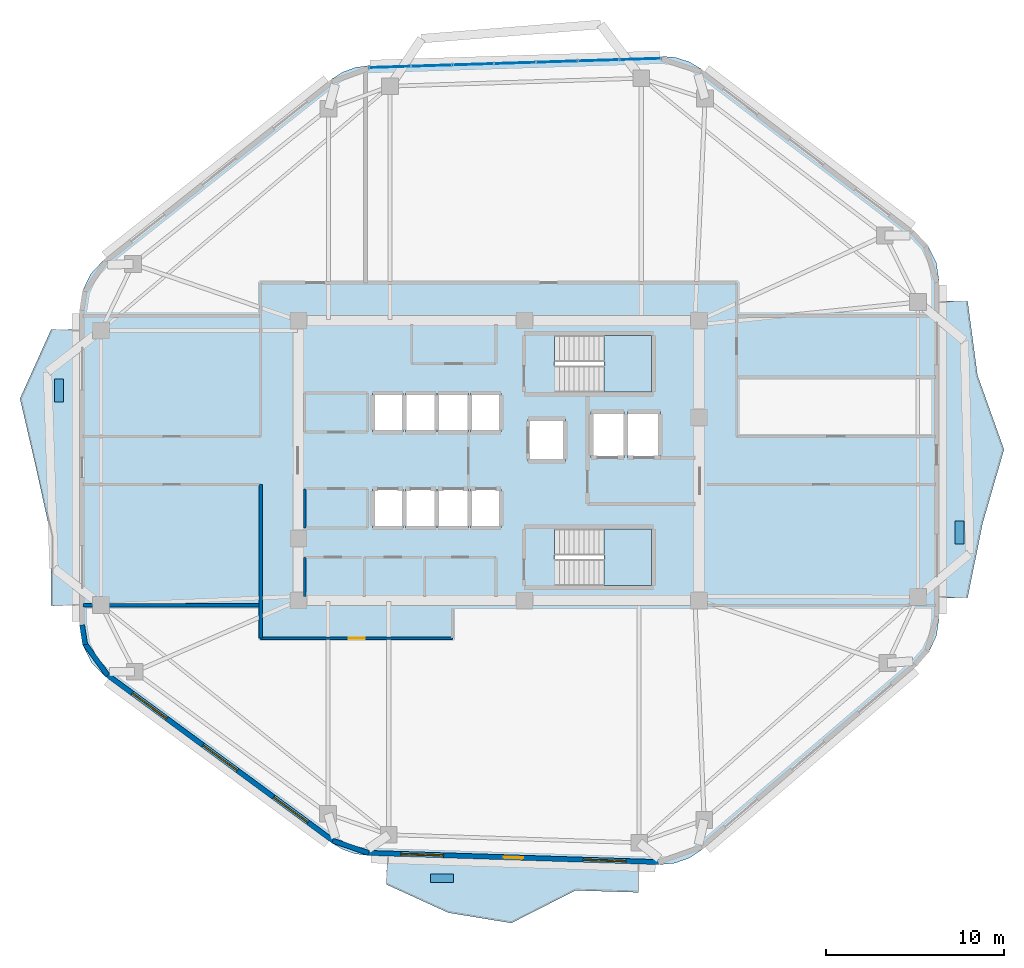
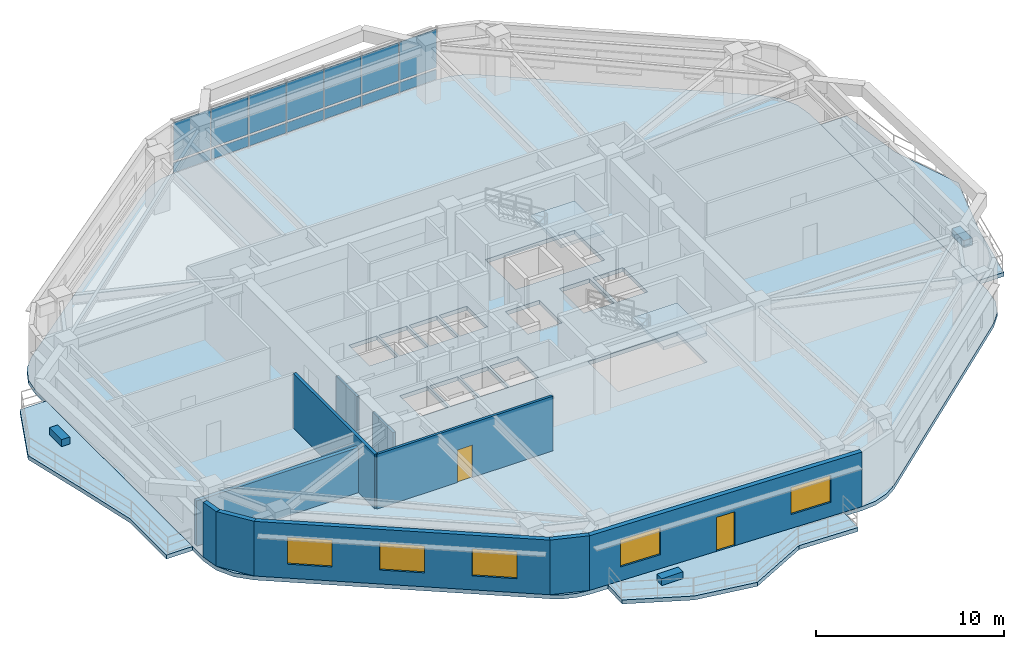
# One storey, part 5 of 12: 17 plates, 10 walls, 6 slabs, 5 windows, 2 doors, 7 openings, 3 elements without a shape of their own.
"""IFC4 building model written with IfcOpenShell, lengths in metres."""

from ifc_helpers import new_model, si_unit, direction, frame, frame_2d, origin, origin_2d, place, context, subcontext, project, spatial, polyline, rectangle, outline, extrude, material, layer, layer_set, type_object, element, fill, aggregate, save


model = new_model("IFC4")

# Units and contexts
model_context = context("Model", 3, precision=1e-05, world=origin(), true_north=direction((0.0, 1.0)))
body_context = subcontext(model_context, "Body", "Model", "MODEL_VIEW")
ifc_project = project(units=[si_unit("LENGTHUNIT", "METRE"), si_unit("AREAUNIT", "SQUARE_METRE"), si_unit("VOLUMEUNIT", "CUBIC_METRE"), si_unit("PLANEANGLEUNIT", "RADIAN"), si_unit("MASSUNIT", "GRAM", prefix="KILO")], contexts=[model_context])

# Site, building, storey
site_placement = place(None, origin())
site = spatial("IfcSite", under=ifc_project, at=site_placement, CompositionType="ELEMENT")
building_placement = place(site_placement, origin())
building = spatial("IfcBuilding", under=site, at=building_placement, Name="Zulverin Broadcast Headquarters", CompositionType="ELEMENT")
storey_placement = place(building_placement, frame((0.0, 0.0, 170.60009765625)))
storey = spatial("IfcBuildingStorey", under=building, at=storey_placement, Name="L43", CompositionType="ELEMENT", Elevation=170.60009765625)

# Curtain wall, plates
ifc_material_1 = material(Name="Waist wind-pressure unitised curtain wall", Category="aluminium")
curtain_wall_type = type_object("IfcCurtainWallType", Name="CW-TWR-WST", PredefinedType="USERDEFINED", material=ifc_material_1)
curtain_wall_placement = place(storey_placement, origin())
curtain_wall = element("IfcCurtainWall", 1, at=curtain_wall_placement, inside=storey, type_object=curtain_wall_type, Name="L43 Unitised Curtain Wall CW-L43-E5", ObjectType="UNITISED CURTAIN WALL", PredefinedType="USERDEFINED")
ifc_material_2 = material(Name="Low-E double-glazed pale-silver vision glass", Category="glass")
ifc_layer_1 = layer(ifc_material_2, 0.035888671875, Name="Low-E double-glazed pale-silver vision glass", Category="glass")
ifc_layer_set_1 = layer_set([ifc_layer_1], Name="Low-E double-glazed pale-silver vision glass")
plate_type_1 = type_object("IfcPlateType", Name="CW-PNL-GLZ", PredefinedType="CURTAIN_PANEL", material=ifc_layer_set_1)
plate_1_placement = place(storey_placement, frame((44.968017578125, 47.80224609375, 0.91455078125), z_axis=(0.0, 0.0, 1.0), x_axis=(-0.999497141269, -0.031709061709, 0.0)))
plate_1 = element("IfcPlate", 2, at=plate_1_placement, type_object=plate_type_1, Name="CW-L43-E5 Vision Panel 00", PredefinedType="CURTAIN_PANEL", context=body_context, shape_type="SweptSolid", body=[
    extrude(rectangle(XDim=2.310302734375, YDim=0.035888671875, at=origin_2d()), origin(), (0.0, 0.0, 1.0), 2.4853515625),
])
plate_2_placement = place(storey_placement, frame((42.618896484375, 47.727783203125, 0.91455078125), z_axis=(0.0, 0.0, 1.0), x_axis=(-0.999497141269, -0.031709061709, 0.0)))
plate_2 = element("IfcPlate", 3, at=plate_2_placement, type_object=plate_type_1, Name="CW-L43-E5 Vision Panel 01", PredefinedType="CURTAIN_PANEL", context=body_context, shape_type="SweptSolid", body=[
    extrude(rectangle(XDim=2.310302734375, YDim=0.035888671875, at=origin_2d()), origin(), (0.0, 0.0, 1.0), 2.4853515625),
])
plate_3_placement = place(storey_placement, frame((40.269775390625, 47.6533203125, 0.91455078125), z_axis=(0.0, 0.0, 1.0), x_axis=(-0.999497141269, -0.031709061709, 0.0)))
plate_3 = element("IfcPlate", 4, at=plate_3_placement, type_object=plate_type_1, Name="CW-L43-E5 Vision Panel 02", PredefinedType="CURTAIN_PANEL", context=body_context, shape_type="SweptSolid", body=[
    extrude(rectangle(XDim=2.310302734375, YDim=0.035888671875, at=origin_2d()), origin(), (0.0, 0.0, 1.0), 2.4853515625),
])
plate_4_placement = place(storey_placement, frame((37.920654296875, 47.57861328125, 0.91455078125), z_axis=(0.0, 0.0, 1.0), x_axis=(-0.999497141269, -0.031709061709, 0.0)))
plate_4 = element("IfcPlate", 5, at=plate_4_placement, type_object=plate_type_1, Name="CW-L43-E5 Vision Panel 03", PredefinedType="CURTAIN_PANEL", context=body_context, shape_type="SweptSolid", body=[
    extrude(rectangle(XDim=2.310302734375, YDim=0.035888671875, at=origin_2d()), origin(), (0.0, 0.0, 1.0), 2.4853515625),
])
plate_5_placement = place(storey_placement, frame((35.5712890625, 47.504150390625, 0.91455078125), z_axis=(0.0, 0.0, 1.0), x_axis=(-0.999497141269, -0.031709061709, 0.0)))
plate_5 = element("IfcPlate", 6, at=plate_5_placement, type_object=plate_type_1, Name="CW-L43-E5 Vision Panel 04", PredefinedType="CURTAIN_PANEL", context=body_context, shape_type="SweptSolid", body=[
    extrude(rectangle(XDim=2.310302734375, YDim=0.035888671875, at=origin_2d()), origin(), (0.0, 0.0, 1.0), 2.4853515625),
])
plate_6_placement = place(storey_placement, frame((33.222412109375, 47.4296875, 0.91455078125), z_axis=(0.0, 0.0, 1.0), x_axis=(-0.999497141269, -0.031709061709, 0.0)))
plate_6 = element("IfcPlate", 7, at=plate_6_placement, type_object=plate_type_1, Name="CW-L43-E5 Vision Panel 05", PredefinedType="CURTAIN_PANEL", context=body_context, shape_type="SweptSolid", body=[
    extrude(rectangle(XDim=2.310302734375, YDim=0.035888671875, at=origin_2d()), origin(), (0.0, 0.0, 1.0), 2.4853515625),
])
plate_7_placement = place(storey_placement, frame((30.873046875, 47.35498046875, 0.91455078125), z_axis=(0.0, 0.0, 1.0), x_axis=(-0.999497141269, -0.031709061709, 0.0)))
plate_7 = element("IfcPlate", 8, at=plate_7_placement, type_object=plate_type_1, Name="CW-L43-E5 Vision Panel 06", PredefinedType="CURTAIN_PANEL", context=body_context, shape_type="SweptSolid", body=[
    extrude(rectangle(XDim=2.310302734375, YDim=0.035888671875, at=origin_2d()), origin(), (0.0, 0.0, 1.0), 2.4853515625),
])
ifc_material_3 = material(Name="Insulated brushed pale-aluminium spandrel cassette", Category="aluminium")
ifc_layer_2 = layer(ifc_material_3, 0.050048828125, Name="Insulated brushed pale-aluminium spandrel cassette", Category="aluminium")
ifc_layer_set_2 = layer_set([ifc_layer_2], Name="Insulated brushed pale-aluminium spandrel cassette")
plate_type_2 = type_object("IfcPlateType", Name="CW-PNL-SPN", PredefinedType="CURTAIN_PANEL", material=ifc_layer_set_2)
plate_8_placement = place(storey_placement, frame((44.968017578125, 47.80224609375, 0.139892578125), z_axis=(0.0, 0.0, 1.0), x_axis=(-0.999497141269, -0.031709061709, 0.0)))
plate_8 = element("IfcPlate", 9, at=plate_8_placement, type_object=plate_type_2, Name="CW-L43-E5 Spandrel Cassette 00", PredefinedType="CURTAIN_PANEL", context=body_context, shape_type="SweptSolid", body=[
    extrude(rectangle(XDim=2.310302734375, YDim=0.050048828125, at=origin_2d()), origin(), (0.0, 0.0, 1.0), 0.64453125),
])
plate_9_placement = place(storey_placement, frame((42.618896484375, 47.727783203125, 0.139892578125), z_axis=(0.0, 0.0, 1.0), x_axis=(-0.999497141269, -0.031709061709, 0.0)))
plate_9 = element("IfcPlate", 10, at=plate_9_placement, type_object=plate_type_2, Name="CW-L43-E5 Spandrel Cassette 01", PredefinedType="CURTAIN_PANEL", context=body_context, shape_type="SweptSolid", body=[
    extrude(rectangle(XDim=2.310302734375, YDim=0.050048828125, at=origin_2d()), origin(), (0.0, 0.0, 1.0), 0.64453125),
])
plate_10_placement = place(storey_placement, frame((40.269775390625, 47.6533203125, 0.139892578125), z_axis=(0.0, 0.0, 1.0), x_axis=(-0.999497141269, -0.031709061709, 0.0)))
plate_10 = element("IfcPlate", 11, at=plate_10_placement, type_object=plate_type_2, Name="CW-L43-E5 Spandrel Cassette 02", PredefinedType="CURTAIN_PANEL", context=body_context, shape_type="SweptSolid", body=[
    extrude(rectangle(XDim=2.310302734375, YDim=0.050048828125, at=origin_2d()), origin(), (0.0, 0.0, 1.0), 0.64453125),
])
plate_11_placement = place(storey_placement, frame((37.920654296875, 47.57861328125, 0.139892578125), z_axis=(0.0, 0.0, 1.0), x_axis=(-0.999497141269, -0.031709061709, 0.0)))
plate_11 = element("IfcPlate", 12, at=plate_11_placement, type_object=plate_type_2, Name="CW-L43-E5 Spandrel Cassette 03", PredefinedType="CURTAIN_PANEL", context=body_context, shape_type="SweptSolid", body=[
    extrude(rectangle(XDim=2.310302734375, YDim=0.050048828125, at=origin_2d()), origin(), (0.0, 0.0, 1.0), 0.64453125),
])
plate_12_placement = place(storey_placement, frame((35.5712890625, 47.504150390625, 0.139892578125), z_axis=(0.0, 0.0, 1.0), x_axis=(-0.999497141269, -0.031709061709, 0.0)))
plate_12 = element("IfcPlate", 13, at=plate_12_placement, type_object=plate_type_2, Name="CW-L43-E5 Spandrel Cassette 04", PredefinedType="CURTAIN_PANEL", context=body_context, shape_type="SweptSolid", body=[
    extrude(rectangle(XDim=2.310302734375, YDim=0.050048828125, at=origin_2d()), origin(), (0.0, 0.0, 1.0), 0.64453125),
])
plate_13_placement = place(storey_placement, frame((33.222412109375, 47.4296875, 0.139892578125), z_axis=(0.0, 0.0, 1.0), x_axis=(-0.999497141269, -0.031709061709, 0.0)))
plate_13 = element("IfcPlate", 14, at=plate_13_placement, type_object=plate_type_2, Name="CW-L43-E5 Spandrel Cassette 05", PredefinedType="CURTAIN_PANEL", context=body_context, shape_type="SweptSolid", body=[
    extrude(rectangle(XDim=2.310302734375, YDim=0.050048828125, at=origin_2d()), origin(), (0.0, 0.0, 1.0), 0.64453125),
])
plate_14_placement = place(storey_placement, frame((30.873046875, 47.35498046875, 0.139892578125), z_axis=(0.0, 0.0, 1.0), x_axis=(-0.999497141269, -0.031709061709, 0.0)))
plate_14 = element("IfcPlate", 15, at=plate_14_placement, type_object=plate_type_2, Name="CW-L43-E5 Spandrel Cassette 06", PredefinedType="CURTAIN_PANEL", context=body_context, shape_type="SweptSolid", body=[
    extrude(rectangle(XDim=2.310302734375, YDim=0.050048828125, at=origin_2d()), origin(), (0.0, 0.0, 1.0), 0.64453125),
])
aggregate(curtain_wall, [plate_8, plate_1, plate_9, plate_2, plate_10, plate_3, plate_11, plate_4, plate_12, plate_5, plate_13, plate_6, plate_14, plate_7])

# Plates
ifc_material_4 = material(Name="Precast concrete C45/55", Category="concrete")
ifc_layer_3 = layer(ifc_material_4, 0.449951171875, Name="Precast concrete C45/55", Category="concrete")
ifc_layer_set_3 = layer_set([ifc_layer_3], Name="Precast concrete C45/55")
plate_type_3 = type_object("IfcPlateType", Name="PT-01_PRECAST_GFRC_TREE_PLANTER", PredefinedType="USERDEFINED", material=ifc_layer_set_3)
for number, where, z_axis, x_axis, name in (
    (16, (62.949951171875, 21.143798828125, -0.0048828125), (0.0, 0.0, 1.0), (0.0, 1.0, 0.0), "L43 Precast GFRC Tree Planter BAL_E"),
    (17, (33.808349609375, 1.68115234375, -0.0048828125), (0.0, 0.0, 1.0), (1.0, 0.0, 0.0), "L43 Precast GFRC Tree Planter BAL_S"),
    (18, (12.25, 29.15185546875, -0.0048828125), (0.0, 0.0, 1.0), (0.0, 1.0, 0.0), "L43 Precast GFRC Tree Planter BAL_W"),
):
    element("IfcPlate", number, at=place(storey_placement, frame(where, z_axis=z_axis, x_axis=x_axis)), inside=storey, type_object=plate_type_3, Name=name, ObjectType="PLANTER", PredefinedType="USERDEFINED", context=body_context, shape_type="SweptSolid", body=[
        extrude(rectangle(XDim=1.300048828125, YDim=0.5, at=origin_2d()), origin(), (0.0, 0.0, 1.0), 0.449951171875),
    ])

# Slabs
ifc_material_5 = material(Name="Concrete C40/50", Category="concrete")
ifc_layer_4 = layer(ifc_material_5, 0.260009765625, Name="Concrete C40/50", Category="concrete")
ifc_layer_set_4 = layer_set([ifc_layer_4], Name="Concrete C40/50")
slab_type_1 = type_object("IfcSlabType", Name="SLB-BAL-260", PredefinedType="FLOOR", material=ifc_layer_set_4)
slab_1_placement = place(storey_placement, frame((0.0, 0.0, -0.260009765625)))
element("IfcSlab", 19, at=slab_1_placement, inside=storey, type_object=slab_type_1, Name="L43 Cantilevered Planted Balcony Slab BAL_E", PredefinedType="FLOOR", context=body_context, shape_type="SweptSolid", body=[
    extrude(outline(polyline([(61.800048828125, 34.17138671875), (61.800048828125, 17.46923828125), (63.39990234375, 17.46923828125), (64.24072265625, 21.644775390625), (65.449951171875, 25.8203125), (63.959228515625, 29.995849609375), (63.39990234375, 34.17138671875), (61.800048828125, 34.17138671875)])), origin(), (0.0, 0.0, 1.0), 0.260009765625),
])
slab_2_placement = place(storey_placement, frame((0.0, 0.0, -0.260009765625)))
element("IfcSlab", 20, at=slab_2_placement, inside=storey, type_object=slab_type_1, Name="L43 Cantilevered Planted Balcony Slab BAL_S", PredefinedType="FLOOR", context=body_context, shape_type="SweptSolid", body=[
    extrude(outline(polyline([(44.921630859375, 2.479248046875), (30.720458984375, 2.9296875), (30.669921875, 1.33056640625), (34.173095703125, -0.264404296875), (37.70849609375, -0.84375), (41.32080078125, 0.99267578125), (44.87109375, 0.8798828125), (44.921630859375, 2.479248046875)])), origin(), (0.0, 0.0, 1.0), 0.260009765625),
])
slab_3_placement = place(storey_placement, frame((0.0, 0.0, -0.260009765625)))
element("IfcSlab", 21, at=slab_3_placement, inside=storey, type_object=slab_type_1, Name="L43 Cantilevered Planted Balcony Slab BAL_W", PredefinedType="FLOOR", context=body_context, shape_type="SweptSolid", body=[
    extrude(outline(polyline([(13.39990234375, 17.02197265625), (13.39990234375, 32.5732421875), (11.800048828125, 32.5732421875), (10.0458984375, 28.685302734375), (10.94921875, 24.797607421875), (11.800048828125, 20.90966796875), (11.800048828125, 17.02197265625), (13.39990234375, 17.02197265625)])), origin(), (0.0, 0.0, 1.0), 0.260009765625),
])

# Stair, slab
stair_type = type_object("IfcStairType", Name="ST-CORE-1500", PredefinedType="HALF_TURN_STAIR", material=ifc_material_5)
stair_1_placement = place(storey_placement, origin())
stair_1 = element("IfcStair", 22, at=stair_1_placement, inside=storey, type_object=stair_type, Name="L43 Core Exit Stair ST-1", PredefinedType="HALF_TURN_STAIR")
ifc_layer_5 = layer(ifc_material_5, 0.199951171875, Name="Concrete C40/50", Category="concrete")
ifc_layer_set_5 = layer_set([ifc_layer_5], Name="Concrete C40/50")
slab_type_2 = type_object("IfcSlabType", Name="SLB-ST-LND200", PredefinedType="LANDING", material=ifc_layer_set_5)
slab_4_placement = place(storey_placement, frame((0.0, 0.0, 1.699951171875)))
slab_4 = element("IfcSlab", 23, at=slab_4_placement, type_object=slab_type_2, Name="ST-1 landing 1", PredefinedType="LANDING", context=body_context, shape_type="SweptSolid", body=[
    extrude(outline(polyline([(42.929931640625, 29.050048828125), (45.60009765625, 29.050048828125), (45.60009765625, 32.25), (42.929931640625, 32.25), (42.929931640625, 29.050048828125)])), origin(), (0.0, 0.0, 1.0), 0.199951171875),
])
aggregate(stair_1, [slab_4])

stair_2_placement = place(storey_placement, origin())
stair_2 = element("IfcStair", 24, at=stair_2_placement, inside=storey, type_object=stair_type, Name="L43 Core Exit Stair ST-2", PredefinedType="HALF_TURN_STAIR")
slab_5_placement = place(storey_placement, frame((0.0, 0.0, 1.699951171875)))
slab_5 = element("IfcSlab", 25, at=slab_5_placement, type_object=slab_type_2, Name="ST-2 landing 1", PredefinedType="LANDING", context=body_context, shape_type="SweptSolid", body=[
    extrude(outline(polyline([(42.929931640625, 18.14990234375), (45.60009765625, 18.14990234375), (45.60009765625, 21.35009765625), (42.929931640625, 21.35009765625), (42.929931640625, 18.14990234375)])), origin(), (0.0, 0.0, 1.0), 0.199951171875),
])
aggregate(stair_2, [slab_5])

# Slab
ifc_layer_6 = layer(ifc_material_5, 0.260009765625, Name="Concrete C40/50", Category="concrete")
ifc_layer_set_6 = layer_set([ifc_layer_6], Name="Concrete C40/50")
slab_type_3 = type_object("IfcSlabType", Name="SLB-TWR-260", PredefinedType="FLOOR", material=ifc_layer_set_6)
slab_6_placement = place(storey_placement, frame((0.0, 0.0, -0.260009765625)))
element("IfcSlab", 26, at=slab_6_placement, inside=storey, type_object=slab_type_3, Name="L43 Main Structural Floor Slab", PredefinedType="FLOOR", context=body_context, shape_type="SweptSolid", body=[
    extrude(outline(polyline([(27.603515625, 3.661865234375), (28.224365234375, 3.295166015625), (28.906005859375, 3.0595703125), (29.62109375, 2.964599609375), (46.02099609375, 2.4443359375), (46.902587890625, 2.525146484375), (47.738037109375, 2.81884765625), (48.476318359375, 3.3076171875), (60.541015625, 13.63427734375), (61.220703125, 14.41064453125), (61.652099609375, 15.34814453125), (61.800048828125, 16.369384765625), (61.800048828125, 35.271484375), (61.6318359375, 36.358642578125), (61.143310546875, 37.344482421875), (60.3798828125, 38.136474609375), (48.432861328125, 47.226318359375), (47.73095703125, 47.643798828125), (46.952880859375, 47.892578125), (46.138916015625, 47.95947265625), (29.694580078125, 47.437744140625), (28.9365234375, 47.332275390625), (28.2177734375, 47.06884765625), (27.57080078125, 46.659423828125), (14.761962890625, 36.492919921875), (14.02880859375, 35.705810546875), (13.560791015625, 34.737060546875), (13.39990234375, 33.673095703125), (13.39990234375, 15.921875), (13.57421875, 14.815673828125), (14.079833984375, 13.81640625), (14.8681640625, 13.02099609375), (27.603515625, 3.661865234375)]), holes=[polyline([(40.155029296875, 30.75), (40.130126953125, 30.75), (40.130126953125, 32.25), (45.60009765625, 32.25), (45.60009765625, 29.050048828125), (40.155029296875, 29.050048828125), (40.155029296875, 30.75)]), polyline([(40.155029296875, 19.85009765625), (40.130126953125, 19.85009765625), (40.130126953125, 21.35009765625), (45.60009765625, 21.35009765625), (45.60009765625, 18.14990234375), (40.155029296875, 18.14990234375), (40.155029296875, 19.85009765625)]), polyline([(29.89990234375, 21.39990234375), (31.6201171875, 21.39990234375), (31.6201171875, 23.60009765625), (29.89990234375, 23.60009765625), (29.89990234375, 21.39990234375)]), polyline([(31.739990234375, 21.39990234375), (33.4599609375, 21.39990234375), (33.4599609375, 23.60009765625), (31.739990234375, 23.60009765625), (31.739990234375, 21.39990234375)]), polyline([(33.580078125, 21.39990234375), (35.300048828125, 21.39990234375), (35.300048828125, 23.60009765625), (33.580078125, 23.60009765625), (33.580078125, 21.39990234375)]), polyline([(35.419921875, 21.39990234375), (37.139892578125, 21.39990234375), (37.139892578125, 23.60009765625), (35.419921875, 23.60009765625), (35.419921875, 21.39990234375)]), polyline([(29.89990234375, 26.800048828125), (31.6201171875, 26.800048828125), (31.6201171875, 29.0), (29.89990234375, 29.0), (29.89990234375, 26.800048828125)]), polyline([(31.739990234375, 26.800048828125), (33.4599609375, 26.800048828125), (33.4599609375, 29.0), (31.739990234375, 29.0), (31.739990234375, 26.800048828125)]), polyline([(33.580078125, 26.800048828125), (35.300048828125, 26.800048828125), (35.300048828125, 29.0), (33.580078125, 29.0), (33.580078125, 26.800048828125)]), polyline([(35.419921875, 26.800048828125), (37.139892578125, 26.800048828125), (37.139892578125, 29.0), (35.419921875, 29.0), (35.419921875, 26.800048828125)]), polyline([(42.199951171875, 25.35009765625), (44.050048828125, 25.35009765625), (44.050048828125, 27.949951171875), (42.199951171875, 27.949951171875), (42.199951171875, 25.35009765625)]), polyline([(44.25, 25.35009765625), (46.10009765625, 25.35009765625), (46.10009765625, 27.949951171875), (44.25, 27.949951171875), (44.25, 25.35009765625)]), polyline([(38.64990234375, 25.14990234375), (40.75, 25.14990234375), (40.75, 27.550048828125), (38.64990234375, 27.550048828125), (38.64990234375, 25.14990234375)])]), origin(), (0.0, 0.0, 1.0), 0.260009765625),
])

# Wall
ifc_material_6 = material(Name="Double-stud acoustic drywall", Category="gypsum")
ifc_layer_7 = layer(ifc_material_6, 0.219970703125, Name="Double-stud acoustic drywall", Category="gypsum")
ifc_layer_set_7 = layer_set([ifc_layer_7], Name="Double-stud acoustic drywall")
wall_type_1 = type_object("IfcWallType", Name="WL-ACOU-220", PredefinedType="PARTITIONING", material=ifc_layer_set_7)
wall_1_placement = place(storey_placement, frame((13.60498046875, 17.050048828125, 0.0), z_axis=(0.0, 0.0, 1.0), x_axis=(1.0, 0.0, 0.0)))
element("IfcWall", 27, at=wall_1_placement, inside=storey, type_object=wall_type_1, Name="L43 Room Partition Wall RP-07", PredefinedType="PARTITIONING", context=body_context, shape_type="SweptSolid", body=[
    extrude(rectangle(XDim=9.9951171875, YDim=0.219970703125, at=frame_2d((4.99755859375, 0.0))), origin(), (0.0, 0.0, 1.0), 2.922607421875),
])

# Wall, openings, door, windows
ifc_material_7 = material(Name="Insulated pale-metal clad concrete spandrel C40/50", Category="concrete")
ifc_layer_8 = layer(ifc_material_7, 0.280029296875, Name="Insulated pale-metal clad concrete spandrel C40/50", Category="concrete")
ifc_layer_set_8 = layer_set([ifc_layer_8], Name="Insulated pale-metal clad concrete spandrel C40/50")
wall_type_2 = type_object("IfcWallType", Name="WL-EXT-280", PredefinedType="STANDARD", material=ifc_layer_set_8)
wall_2_placement = place(storey_placement, frame((29.62548828125, 3.1044921875, 0.0), z_axis=(0.0, 0.0, 1.0), x_axis=(0.99949718661, -0.031707632487, 0.0)))
wall_2 = element("IfcWall", 28, at=wall_2_placement, inside=storey, type_object=wall_type_2, Name="L43 Pale-Metal Clad Spandrel Wall 1", PredefinedType="STANDARD", context=body_context, shape_type="SweptSolid", body=[
    extrude(rectangle(XDim=16.408203125, YDim=0.280029296875, at=frame_2d((8.2041015625, 0.0))), origin(), (0.0, 0.0, 1.0), 3.539794921875),
])
opening_1_placement = place(wall_2_placement, frame((7.654052734375, 0.0, 0.0)))
opening_1 = element("IfcOpeningElement", 29, at=opening_1_placement, cuts=wall_2, Name="Opening D-L43-TR1", PredefinedType="OPENING", context=body_context, shape_type="SweptSolid", body=[
    extrude(rectangle(XDim=1.10009765625, YDim=2.199951171875, at=frame_2d((0.550048828125, 1.10009765625))), frame((0.0, 0.14990234375, 0.0), z_axis=(0.0, -1.0, 0.0), x_axis=(1.0, 0.0, 0.0)), (0.0, 0.0, 1.0), 0.300048828125),
])
opening_2_placement = place(wall_2_placement, frame((1.867919921875, 0.0, 0.89990234375)))
opening_2 = element("IfcOpeningElement", 30, at=opening_2_placement, cuts=wall_2, Name="Opening W-L43-E11", PredefinedType="OPENING", context=body_context, shape_type="SweptSolid", body=[
    extrude(rectangle(XDim=2.39990234375, YDim=1.75, at=frame_2d((1.199951171875, 0.875))), frame((0.0, 0.14990234375, 0.0), z_axis=(0.0, -1.0, 0.0), x_axis=(1.0, 0.0, 0.0)), (0.0, 0.0, 1.0), 0.300048828125),
])
opening_3_placement = place(wall_2_placement, frame((12.14013671875, 0.0, 0.89990234375)))
opening_3 = element("IfcOpeningElement", 31, at=opening_3_placement, cuts=wall_2, Name="Opening W-L43-E12", PredefinedType="OPENING", context=body_context, shape_type="SweptSolid", body=[
    extrude(rectangle(XDim=2.39990234375, YDim=1.75, at=frame_2d((1.199951171875, 0.875))), frame((0.0, 0.14990234375, 0.0), z_axis=(0.0, -1.0, 0.0), x_axis=(1.0, 0.0, 0.0)), (0.0, 0.0, 1.0), 0.300048828125),
])
ifc_material_8 = material(Name="Thermally broken aluminium glazed", Category="aluminium")
door_type_1 = type_object("IfcDoorType", Name="DR-TERR-1100", OperationType="SINGLE_SWING_RIGHT", PredefinedType="DOOR", material=ifc_material_8)
door_1_placement = place(opening_1_placement, origin())
door_1 = element("IfcDoor", 32, at=door_1_placement, inside=storey, type_object=door_type_1, Name="L43 Planted Terrace Glazed Access Door 1", OperationType="SINGLE_SWING_RIGHT", OverallHeight=2.199951171875, OverallWidth=1.10009765625, PredefinedType="DOOR", context=body_context, shape_type="SweptSolid", body=[
    extrude(rectangle(XDim=1.10009765625, YDim=2.199951171875, at=frame_2d((0.550048828125, 1.10009765625))), frame((0.0, 0.02490234375, 0.0), z_axis=(0.0, -1.0, 0.0), x_axis=(1.0, 0.0, 0.0)), (0.0, 0.0, 1.0), 0.050048828125),
])
fill(opening_1, door_1)
ifc_material_9 = material(Name="Pale anodized aluminium frame with solar-control low-E double glazing", Category="aluminium")
window_type = type_object("IfcWindowType", Name="WIN-RIB-2400", PartitioningType="SINGLE_PANEL", PredefinedType="WINDOW", material=ifc_material_9)
window_1_placement = place(opening_2_placement, origin())
window_1 = element("IfcWindow", 33, at=window_1_placement, inside=storey, type_object=window_type, Name="L43 Ribbon Glazing Window 1 1", OverallHeight=1.75, OverallWidth=2.39990234375, PartitioningType="SINGLE_PANEL", PredefinedType="WINDOW", context=body_context, shape_type="SweptSolid", body=[
    extrude(rectangle(XDim=2.39990234375, YDim=1.75, at=frame_2d((1.199951171875, 0.875))), frame((0.0, 0.030029296875, 0.0), z_axis=(0.0, -1.0, 0.0), x_axis=(1.0, 0.0, 0.0)), (0.0, 0.0, 1.0), 0.06005859375),
])
fill(opening_2, window_1)
window_2_placement = place(opening_3_placement, origin())
window_2 = element("IfcWindow", 34, at=window_2_placement, inside=storey, type_object=window_type, Name="L43 Ribbon Glazing Window 1 2", OverallHeight=1.75, OverallWidth=2.39990234375, PartitioningType="SINGLE_PANEL", PredefinedType="WINDOW", context=body_context, shape_type="SweptSolid", body=[
    extrude(rectangle(XDim=2.39990234375, YDim=1.75, at=frame_2d((1.199951171875, 0.875))), frame((0.0, 0.030029296875, 0.0), z_axis=(0.0, -1.0, 0.0), x_axis=(1.0, 0.0, 0.0)), (0.0, 0.0, 1.0), 0.06005859375),
])
fill(opening_3, window_2)

# Wall, openings, windows
wall_3_placement = place(storey_placement, frame((14.950927734375, 13.1337890625, 0.0), z_axis=(0.0, 0.0, 1.0), x_axis=(0.805804940328, -0.592181051827, 0.0)))
wall_3 = element("IfcWall", 35, at=wall_3_placement, inside=storey, type_object=wall_type_2, Name="L43 Pale-Metal Clad Spandrel Wall 8", PredefinedType="STANDARD", context=body_context, shape_type="SweptSolid", body=[
    extrude(rectangle(XDim=15.804443359375, YDim=0.280029296875, at=frame_2d((7.90234375, 0.0))), origin(), (0.0, 0.0, 1.0), 3.539794921875),
])
opening_4_placement = place(wall_3_placement, frame((1.767333984375, 0.0, 0.89990234375)))
opening_4 = element("IfcOpeningElement", 36, at=opening_4_placement, cuts=wall_3, Name="Opening W-L43-E81", PredefinedType="OPENING", context=body_context, shape_type="SweptSolid", body=[
    extrude(rectangle(XDim=2.39990234375, YDim=1.75, at=frame_2d((1.199951171875, 0.875))), frame((0.0, 0.14990234375, 0.0), z_axis=(0.0, -1.0, 0.0), x_axis=(1.0, 0.0, 0.0)), (0.0, 0.0, 1.0), 0.300048828125),
])
opening_5_placement = place(wall_3_placement, frame((6.702392578125, 0.0, 0.89990234375)))
opening_5 = element("IfcOpeningElement", 37, at=opening_5_placement, cuts=wall_3, Name="Opening W-L43-E82", PredefinedType="OPENING", context=body_context, shape_type="SweptSolid", body=[
    extrude(rectangle(XDim=2.39990234375, YDim=1.75, at=frame_2d((1.199951171875, 0.875))), frame((0.0, 0.14990234375, 0.0), z_axis=(0.0, -1.0, 0.0), x_axis=(1.0, 0.0, 0.0)), (0.0, 0.0, 1.0), 0.300048828125),
])
opening_6_placement = place(wall_3_placement, frame((11.63720703125, 0.0, 0.89990234375)))
opening_6 = element("IfcOpeningElement", 38, at=opening_6_placement, cuts=wall_3, Name="Opening W-L43-E83", PredefinedType="OPENING", context=body_context, shape_type="SweptSolid", body=[
    extrude(rectangle(XDim=2.39990234375, YDim=1.75, at=frame_2d((1.199951171875, 0.875))), frame((0.0, 0.14990234375, 0.0), z_axis=(0.0, -1.0, 0.0), x_axis=(1.0, 0.0, 0.0)), (0.0, 0.0, 1.0), 0.300048828125),
])
window_3_placement = place(opening_4_placement, origin())
window_3 = element("IfcWindow", 39, at=window_3_placement, inside=storey, type_object=window_type, Name="L43 Ribbon Glazing Window 8 1", OverallHeight=1.75, OverallWidth=2.39990234375, PartitioningType="SINGLE_PANEL", PredefinedType="WINDOW", context=body_context, shape_type="SweptSolid", body=[
    extrude(rectangle(XDim=2.39990234375, YDim=1.75, at=frame_2d((1.199951171875, 0.875))), frame((0.0, 0.030029296875, 0.0), z_axis=(0.0, -1.0, 0.0), x_axis=(1.0, 0.0, 0.0)), (0.0, 0.0, 1.0), 0.06005859375),
])
fill(opening_4, window_3)
window_4_placement = place(opening_5_placement, origin())
window_4 = element("IfcWindow", 40, at=window_4_placement, inside=storey, type_object=window_type, Name="L43 Ribbon Glazing Window 8 2", OverallHeight=1.75, OverallWidth=2.39990234375, PartitioningType="SINGLE_PANEL", PredefinedType="WINDOW", context=body_context, shape_type="SweptSolid", body=[
    extrude(rectangle(XDim=2.39990234375, YDim=1.75, at=frame_2d((1.199951171875, 0.875))), frame((0.0, 0.030029296875, 0.0), z_axis=(0.0, -1.0, 0.0), x_axis=(1.0, 0.0, 0.0)), (0.0, 0.0, 1.0), 0.06005859375),
])
fill(opening_5, window_4)
window_5_placement = place(opening_6_placement, origin())
window_5 = element("IfcWindow", 41, at=window_5_placement, inside=storey, type_object=window_type, Name="L43 Ribbon Glazing Window 8 3", OverallHeight=1.75, OverallWidth=2.39990234375, PartitioningType="SINGLE_PANEL", PredefinedType="WINDOW", context=body_context, shape_type="SweptSolid", body=[
    extrude(rectangle(XDim=2.39990234375, YDim=1.75, at=frame_2d((1.199951171875, 0.875))), frame((0.0, 0.030029296875, 0.0), z_axis=(0.0, -1.0, 0.0), x_axis=(1.0, 0.0, 0.0)), (0.0, 0.0, 1.0), 0.06005859375),
])
fill(opening_6, window_5)

# Walls
wall_4_placement = place(storey_placement, frame((13.538330078125, 15.943603515625, 0.0), z_axis=(0.0, 0.0, 1.0), x_axis=(0.155447556013, -0.987844146275, 0.0)))
element("IfcWall", 42, at=wall_4_placement, inside=storey, type_object=wall_type_2, Name="L43 Wind-Shaped Corner Spandrel Wall 7-1", PredefinedType="STANDARD", context=body_context, shape_type="SweptSolid", body=[
    extrude(rectangle(XDim=1.119873046875, YDim=0.280029296875, at=frame_2d((0.56005859375, 0.0))), origin(), (0.0, 0.0, 1.0), 3.539794921875),
])
wall_5_placement = place(storey_placement, frame((13.687744140625, 14.897705078125, 0.0), z_axis=(0.0, 0.0, 1.0), x_axis=(0.584833657716, -0.811153248655, 0.0)))
element("IfcWall", 43, at=wall_5_placement, inside=storey, type_object=wall_type_2, Name="L43 Wind-Shaped Corner Spandrel Wall 7-2", PredefinedType="STANDARD", context=body_context, shape_type="SweptSolid", body=[
    extrude(rectangle(XDim=2.21240234375, YDim=0.280029296875, at=frame_2d((1.106201171875, 0.0))), origin(), (0.0, 0.0, 1.0), 3.539794921875),
])
wall_6_placement = place(storey_placement, frame((27.649169921875, 3.794189453125, 0.0), z_axis=(0.0, 0.0, 1.0), x_axis=(0.945149124969, -0.326639145802, 0.0)))
element("IfcWall", 44, at=wall_6_placement, inside=storey, type_object=wall_type_2, Name="L43 Wind-Shaped Corner Spandrel Wall 8-1", PredefinedType="STANDARD", context=body_context, shape_type="SweptSolid", body=[
    extrude(rectangle(XDim=2.134765625, YDim=0.280029296875, at=frame_2d((1.0673828125, 0.0))), origin(), (0.0, 0.0, 1.0), 3.539794921875),
])
ifc_material_10 = material(Name="Fire-rated gypsum stud partition", Category="gypsum")
ifc_layer_9 = layer(ifc_material_10, 0.14990234375, Name="Fire-rated gypsum stud partition", Category="gypsum")
ifc_layer_set_9 = layer_set([ifc_layer_9], Name="Fire-rated gypsum stud partition")
wall_type_3 = type_object("IfcWallType", Name="WL-PART-150", PredefinedType="PARTITIONING", material=ifc_layer_set_9)
wall_7_placement = place(storey_placement, frame((26.070068359375, 17.550048828125, 0.0), z_axis=(0.0, 0.0, 1.0), x_axis=(0.0, 1.0, 0.0)))
element("IfcWall", 45, at=wall_7_placement, inside=storey, type_object=wall_type_3, Name="L43 Core Male WC West Wall", PredefinedType="PARTITIONING", context=body_context, shape_type="SweptSolid", body=[
    extrude(rectangle(XDim=2.199951171875, YDim=0.14990234375, at=frame_2d((1.10009765625, 0.0))), origin(), (0.0, 0.0, 1.0), 2.639892578125),
])
wall_8_placement = place(storey_placement, frame((26.070068359375, 21.39990234375, 0.0), z_axis=(0.0, 0.0, 1.0), x_axis=(0.0, 1.0, 0.0)))
element("IfcWall", 46, at=wall_8_placement, inside=storey, type_object=wall_type_3, Name="L43 Housekeeping Equipment Store W Wall", PredefinedType="PARTITIONING", context=body_context, shape_type="SweptSolid", body=[
    extrude(rectangle(XDim=2.2001953125, YDim=0.14990234375, at=frame_2d((1.10009765625, 0.0))), origin(), (0.0, 0.0, 1.0), 2.639892578125),
])

# Wall, opening, door
wall_9_placement = place(storey_placement, frame((23.60009765625, 15.199951171875, 0.0), z_axis=(0.0, 0.0, 1.0), x_axis=(1.0, 0.0, 0.0)))
wall_9 = element("IfcWall", 47, at=wall_9_placement, inside=storey, type_object=wall_type_3, Name="L43 Gallery Partition Wall CG-06", PredefinedType="PARTITIONING", context=body_context, shape_type="SweptSolid", body=[
    extrude(rectangle(XDim=10.7998046875, YDim=0.14990234375, at=frame_2d((5.39990234375, 0.0))), origin(), (0.0, 0.0, 1.0), 3.539794921875),
])
opening_7_placement = place(wall_9_placement, frame((4.949951171875, 0.0, 0.0)))
opening_7 = element("IfcOpeningElement", 48, at=opening_7_placement, cuts=wall_9, Name="Opening D-L43-03", PredefinedType="OPENING", context=body_context, shape_type="SweptSolid", body=[
    extrude(rectangle(XDim=0.89990234375, YDim=2.10009765625, at=frame_2d((0.449951171875, 1.050048828125))), frame((0.0, 0.0849609375, 0.0), z_axis=(0.0, -1.0, 0.0), x_axis=(1.0, 0.0, 0.0)), (0.0, 0.0, 1.0), 0.169921875),
])
ifc_material_11 = material(Name="Fire-rated hardwood veneer timber leaf", Category="wood")
door_type_2 = type_object("IfcDoorType", Name="DR-ROOM-900", OperationType="SINGLE_SWING_RIGHT", PredefinedType="DOOR", material=ifc_material_11)
door_2_placement = place(opening_7_placement, origin())
door_2 = element("IfcDoor", 49, at=door_2_placement, inside=storey, type_object=door_type_2, Name="L43 Broadcast Exhibition Gallery Door", OperationType="SINGLE_SWING_RIGHT", OverallHeight=2.10009765625, OverallWidth=0.89990234375, PredefinedType="DOOR", context=body_context, shape_type="SweptSolid", body=[
    extrude(rectangle(XDim=0.89990234375, YDim=2.10009765625, at=frame_2d((0.449951171875, 1.050048828125))), frame((0.0, 0.02490234375, 0.0), z_axis=(0.0, -1.0, 0.0), x_axis=(1.0, 0.0, 0.0)), (0.0, 0.0, 1.0), 0.050048828125),
])
fill(opening_7, door_2)

# Wall
ifc_material_12 = material(Name="Fire-rated acoustic stud wall", Category="gypsum")
ifc_layer_10 = layer(ifc_material_12, 0.175048828125, Name="Fire-rated acoustic stud wall", Category="gypsum")
ifc_layer_set_10 = layer_set([ifc_layer_10], Name="Fire-rated acoustic stud wall")
wall_type_4 = type_object("IfcWallType", Name="WL-PART-175", PredefinedType="PARTITIONING", material=ifc_layer_set_10)
wall_10_placement = place(storey_placement, frame((23.60009765625, 15.199951171875, 0.0), z_axis=(0.0, 0.0, 1.0), x_axis=(0.0, 1.0, 0.0)))
element("IfcWall", 50, at=wall_10_placement, inside=storey, type_object=wall_type_4, Name="L43 Gallery Partition Wall CG-04", PredefinedType="PARTITIONING", context=body_context, shape_type="SweptSolid", body=[
    extrude(rectangle(XDim=8.650146484375, YDim=0.175048828125, at=frame_2d((4.3251953125, 0.0))), origin(), (0.0, 0.0, 1.0), 3.539794921875),
])

save(model, "model.ifc")
